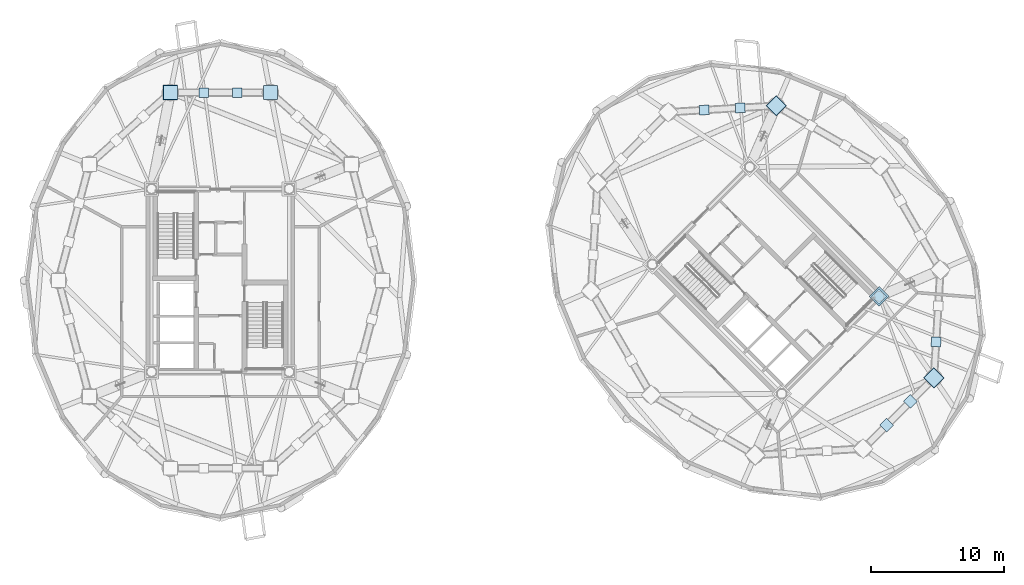
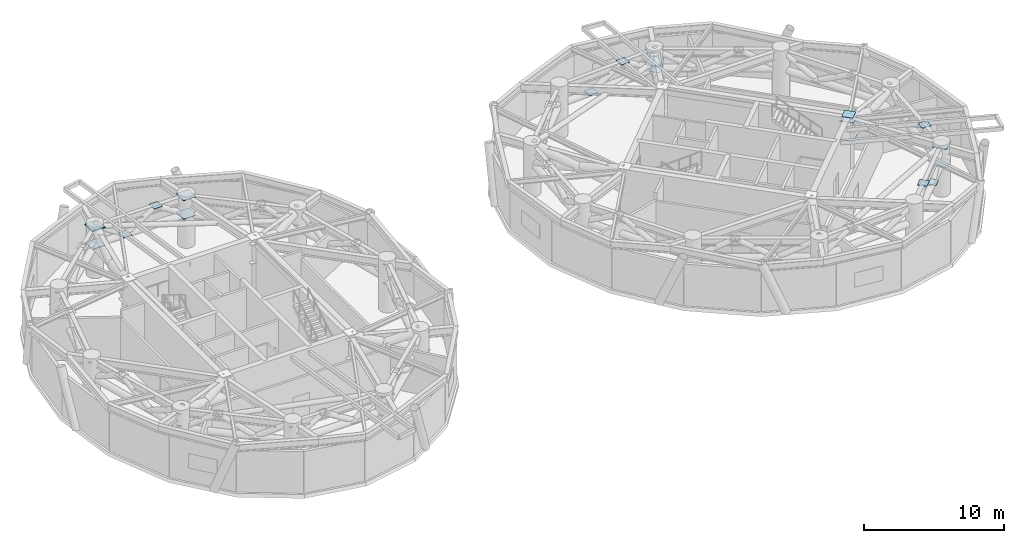
# One storey, part 8 of 16: 21 plates.
"""IFC4 building model written with IfcOpenShell, lengths in metres."""

from ifc_helpers import new_model, si_unit, direction, frame, origin, origin_2d, place, context, subcontext, project, spatial, rectangle, extrude, source, transform, mapped, material, layer, layer_set, type_object, element, save


model = new_model("IFC4")

# Units and contexts
model_context = context("Model", 3, precision=1e-05, world=origin(), true_north=direction((0.0, 1.0)))
body_context = subcontext(model_context, "Body", "Model", "MODEL_VIEW")
ifc_project = project(units=[si_unit("LENGTHUNIT", "METRE"), si_unit("AREAUNIT", "SQUARE_METRE"), si_unit("VOLUMEUNIT", "CUBIC_METRE"), si_unit("PLANEANGLEUNIT", "RADIAN"), si_unit("MASSUNIT", "GRAM", prefix="KILO")], contexts=[model_context])

# Site, building, storey
site_placement = place(None, origin())
site = spatial("IfcSite", under=ifc_project, at=site_placement, CompositionType="ELEMENT")
building_placement = place(site_placement, origin())
building = spatial("IfcBuilding", under=site, at=building_placement, Name="Cununo Teusaquillo Station Towers", CompositionType="ELEMENT")
storey_placement = place(building_placement, frame((0.0, 0.0, 147.10009765625)))
storey = spatial("IfcBuildingStorey", under=building, at=storey_placement, Name="L46", CompositionType="ELEMENT", Elevation=147.10009765625)

# Plates
ifc_material_1 = material(Name="Steel ASTM A572 Grade 50", Category="steel")
ifc_layer_1 = layer(ifc_material_1, 0.0400390625)
ifc_layer_set_1 = layer_set([ifc_layer_1], Name="Steel ASTM A572 Grade 50")
plate_type_1 = type_object("IfcPlateType", Name="PLT-NODE-CRN1", PredefinedType="USERDEFINED", material=ifc_layer_set_1)
shared_shape_1 = source(origin(), body_context, "Body", "SweptSolid", [
    extrude(rectangle(XDim=0.820068359375, YDim=0.820068359375, at=origin_2d()), origin(), (0.0, 0.0, 1.0), 0.0400390625),
])
plate_placement = place(storey_placement, frame((66.024169921875, 23.29443359375, 4.5), z_axis=(0.0, 0.0, 1.0), x_axis=(0.707106781187, 0.707106781187, 0.0)))
element("IfcPlate", 1, at=plate_placement, inside=storey, type_object=plate_type_1, Name="L46 Tower B Core Column Sealed Cap Plate 3", ObjectType="GUSSET PLATE", PredefinedType="USERDEFINED", context=body_context, shape_type="MappedRepresentation", body=[
    mapped(shared_shape_1, transform((0.0, 0.0, 0.0), x_axis=(1.0, 0.0, 0.0), y_axis=(0.0, 1.0, 0.0), z_axis=(0.0, 0.0, 1.0), scale=1.0)),
])
ifc_material_2 = material(Name="Steel ASTM A572 Grade 50", Category="steel")
ifc_layer_2 = layer(ifc_material_2, 0.054931640625)
ifc_layer_set_2 = layer_set([ifc_layer_2], Name="Steel ASTM A572 Grade 50")
plate_type_2 = type_object("IfcPlateType", Name="PLT-NODE-OTN1", PredefinedType="USERDEFINED", material=ifc_layer_set_2)
shared_shape_2 = source(origin(), body_context, "Body", "SweptSolid", [
    extrude(rectangle(XDim=1.050048828125, YDim=1.050048828125, at=origin_2d()), origin(), (0.0, 0.0, 1.0), 0.054931640625),
])
for number, where, z_axis, x_axis, name in (
    (2, (20.261474609375, 38.623291015625, 2.55224609375), (0.0, 0.0, 1.0), (1.0, 0.0, 0.0), "L46 Tower A Belt Truss Column Gusset 03B"),
    (3, (20.261474609375, 38.623291015625, 4.17236328125), (0.0, 0.0, 1.0), (1.0, 0.0, 0.0), "L46 Tower A Belt Truss Column Gusset 03T"),
    (4, (12.738525390625, 38.623291015625, 2.55224609375), (0.0, 0.0, 1.0), (1.0, 0.0, 0.0), "L46 Tower A Belt Truss Column Gusset 04B"),
    (5, (12.738525390625, 38.623291015625, 4.17236328125), (0.0, 0.0, 1.0), (1.0, 0.0, 0.0), "L46 Tower A Belt Truss Column Gusset 04T"),
    (6, (66.024169921875, 23.29443359375, 2.55224609375), (0.0, 0.0, 1.0), (0.707106781187, 0.707106781187, 0.0), "L46 Tower B Outrigger Core Gusset OTN1 4.CB"),
    (7, (66.024169921875, 23.29443359375, 4.17236328125), (0.0, 0.0, 1.0), (0.707106781187, 0.707106781187, 0.0), "L46 Tower B Outrigger Core Gusset OTN1 4.CT"),
    (8, (58.291015625, 37.63525390625, 2.55224609375), (0.0, 0.0, 1.0), (0.707106781187, 0.707106781187, 0.0), "L46 Tower B Belt Truss Column Gusset 02B"),
    (9, (58.291015625, 37.63525390625, 4.17236328125), (0.0, 0.0, 1.0), (0.707106781187, 0.707106781187, 0.0), "L46 Tower B Belt Truss Column Gusset 02T"),
    (10, (70.146240234375, 17.173095703125, 2.55224609375), (0.0, 0.0, 1.0), (0.707106781187, 0.707106781187, 0.0), "L46 Tower B Belt Truss Column Gusset 09B"),
    (11, (70.146240234375, 17.173095703125, 4.17236328125), (0.0, 0.0, 1.0), (0.707106781187, 0.707106781187, 0.0), "L46 Tower B Belt Truss Column Gusset 09T"),
):
    element("IfcPlate", number, at=place(storey_placement, frame(where, z_axis=z_axis, x_axis=x_axis)), inside=storey, type_object=plate_type_2, Name=name, ObjectType="GUSSET PLATE", PredefinedType="USERDEFINED", context=body_context, shape_type="MappedRepresentation", body=[
        mapped(shared_shape_2, transform((0.0, 0.0, 0.0), x_axis=(1.0, 0.0, 0.0), y_axis=(0.0, 1.0, 0.0), z_axis=(0.0, 0.0, 1.0), scale=1.0)),
    ])
ifc_material_3 = material(Name="Steel ASTM A572 Grade 50", Category="steel")
ifc_layer_3 = layer(ifc_material_3, 0.030029296875)
ifc_layer_set_3 = layer_set([ifc_layer_3], Name="Steel ASTM A572 Grade 50")
plate_type_3 = type_object("IfcPlateType", Name="PLT-NODE-XBR", PredefinedType="USERDEFINED", material=ifc_layer_set_3)
shared_shape_3 = source(origin(), body_context, "Body", "SweptSolid", [
    extrude(rectangle(XDim=0.719970703125, YDim=0.719970703125, at=origin_2d()), origin(), (0.0, 0.0, 1.0), 0.030029296875),
])
for number, where, z_axis, x_axis, name in (
    (12, (17.75390625, 38.623291015625, 4.18505859375), (0.0, 0.0, 1.0), (-1.0, 0.0, 0.0), "L46 Tower A Belt Web Node Gusset XBP1 03T1"),
    (13, (15.24609375, 38.623291015625, 2.56494140625), (0.0, 0.0, 1.0), (-1.0, 0.0, 0.0), "L46 Tower A Belt Web Node Gusset XBP1 03B2"),
    (14, (55.585205078125, 37.47216796875, 4.18505859375), (0.0, 0.0, 1.0), (-0.998187693254, -0.060177479469, 0.0), "L46 Tower B Belt Web Node Gusset XBP1 02T1"),
    (15, (52.879150390625, 37.309326171875, 2.56494140625), (0.0, 0.0, 1.0), (-0.998187693254, -0.060177479469, 0.0), "L46 Tower B Belt Web Node Gusset XBP1 02B2"),
    (16, (66.60009765625, 13.626708984375, 4.18505859375), (0.0, 0.0, 1.0), (0.707106781187, 0.707106781187, 0.0), "L46 Tower B Belt Web Node Gusset XBP1 08T1"),
    (17, (68.373291015625, 15.39990234375, 2.56494140625), (0.0, 0.0, 1.0), (0.707106781187, 0.707106781187, 0.0), "L46 Tower B Belt Web Node Gusset XBP1 08B2"),
    (18, (70.309326171875, 19.879150390625, 4.18505859375), (0.0, 0.0, 1.0), (0.060177479469, 0.998187693254, 0.0), "L46 Tower B Belt Web Node Gusset XBP1 09T1"),
):
    element("IfcPlate", number, at=place(storey_placement, frame(where, z_axis=z_axis, x_axis=x_axis)), inside=storey, type_object=plate_type_3, Name=name, ObjectType="GUSSET PLATE", PredefinedType="USERDEFINED", context=body_context, shape_type="MappedRepresentation", body=[
        mapped(shared_shape_3, transform((0.0, 0.0, 0.0), x_axis=(1.0, 0.0, 0.0), y_axis=(0.0, 1.0, 0.0), z_axis=(0.0, 0.0, 1.0), scale=1.0)),
    ])
ifc_material_4 = material(Name="Steel ASTM A572 Grade 50", Category="steel")
ifc_layer_4 = layer(ifc_material_4, 0.06005859375)
ifc_layer_set_4 = layer_set([ifc_layer_4], Name="Steel ASTM A572 Grade 50")
plate_type_4 = type_object("IfcPlateType", Name="PLT-NODE-SBN1", PredefinedType="USERDEFINED", material=ifc_layer_set_4)
shared_shape_4 = source(origin(), body_context, "Body", "SweptSolid", [
    extrude(rectangle(XDim=1.10009765625, YDim=1.10009765625, at=origin_2d()), origin(), (0.0, 0.0, 1.0), 0.06005859375),
])
for number, where, z_axis, x_axis, name in (
    (19, (12.738525390625, 38.623291015625, 4.1298828125), (0.0, 0.0, 1.0), (1.0, 0.0, 0.0), "L46 Tower A Bridge Zone Node Plate SBN1 1B"),
    (20, (58.291015625, 37.63525390625, 3.119873046875), (0.0, 0.0, 1.0), (0.707106781187, 0.707106781187, 0.0), "L46 Tower B Bridge Zone Node Plate SBN1 1A"),
    (21, (70.146240234375, 17.173095703125, 4.1298828125), (0.0, 0.0, 1.0), (0.707106781187, 0.707106781187, 0.0), "L46 Tower B Bridge Zone Node Plate SBN1 2B"),
):
    element("IfcPlate", number, at=place(storey_placement, frame(where, z_axis=z_axis, x_axis=x_axis)), inside=storey, type_object=plate_type_4, Name=name, ObjectType="GUSSET PLATE", PredefinedType="USERDEFINED", context=body_context, shape_type="MappedRepresentation", body=[
        mapped(shared_shape_4, transform((0.0, 0.0, 0.0), x_axis=(1.0, 0.0, 0.0), y_axis=(0.0, 1.0, 0.0), z_axis=(0.0, 0.0, 1.0), scale=1.0)),
    ])

save(model, "model.ifc")
